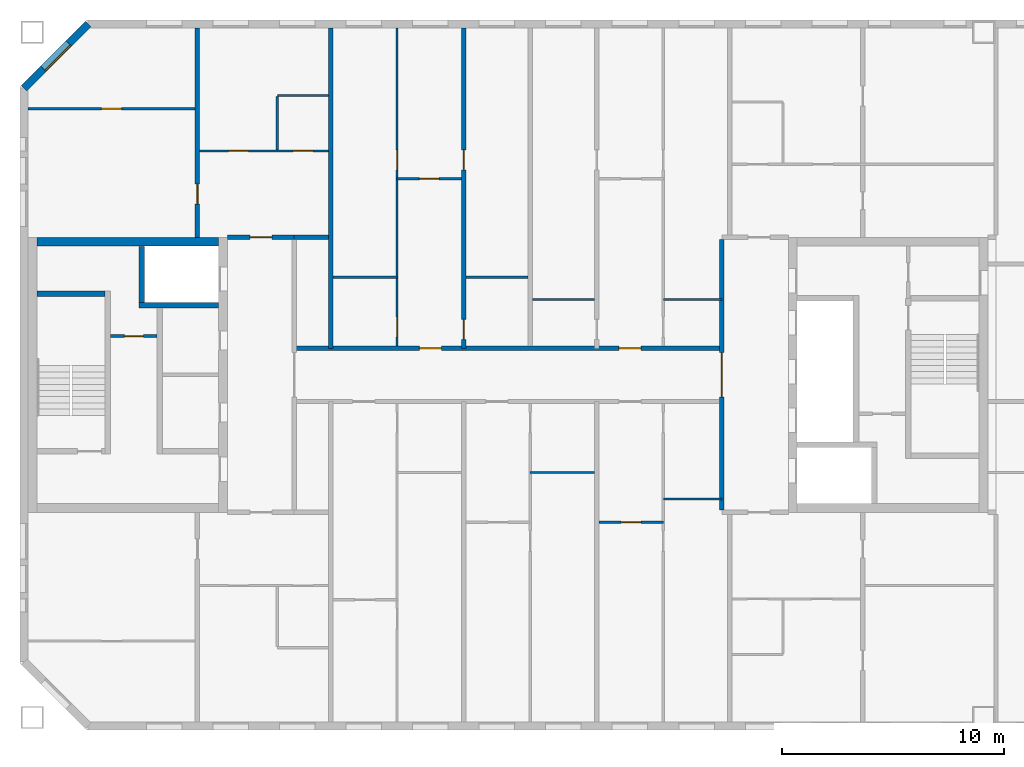
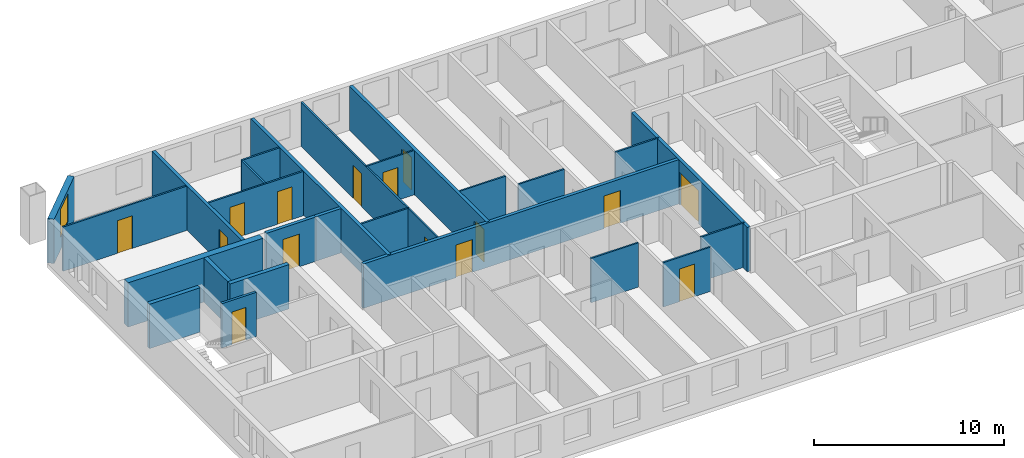
# One storey, part 6 of 19: 26 walls, 15 doors, 1 window, 16 openings.
"""IFC4 building model written with IfcOpenShell, lengths in metres."""

from ifc_helpers import new_model, si_unit, direction, frame, frame_2d, origin, place, context, subcontext, project, spatial, rectangle, extrude, material, layer, layer_set, type_object, element, fill, save


model = new_model("IFC4")

# Units and contexts
model_context = context("Model", 3, precision=1e-05, world=origin(), true_north=direction((0.0, 1.0)))
body_context = subcontext(model_context, "Body", "Model", "MODEL_VIEW")
ifc_project = project(units=[si_unit("LENGTHUNIT", "METRE"), si_unit("AREAUNIT", "SQUARE_METRE"), si_unit("VOLUMEUNIT", "CUBIC_METRE"), si_unit("PLANEANGLEUNIT", "RADIAN"), si_unit("MASSUNIT", "GRAM", prefix="KILO")], contexts=[model_context])

# Site, building, storey
site_placement = place(None, origin())
site = spatial("IfcSite", under=ifc_project, at=site_placement, CompositionType="ELEMENT")
building_placement = place(site_placement, origin())
building = spatial("IfcBuilding", under=site, at=building_placement, Name="Tuart Gate Housing", CompositionType="ELEMENT")
storey_placement = place(building_placement, frame((0.0, 0.0, 205.89990234375)))
storey = spatial("IfcBuildingStorey", under=building, at=storey_placement, Name="L58", CompositionType="ELEMENT", Elevation=205.89990234375)

# Wall, opening, window
ifc_material_1 = material(Name="Brick", Category="masonry")
ifc_layer_1 = layer(ifc_material_1, 0.360107421875)
ifc_layer_set_1 = layer_set([ifc_layer_1], Name="Brick pier and spandrel wall 360")
wall_type_1 = type_object("IfcWallType", Name="Brick pier and spandrel wall 360", PredefinedType="STANDARD", material=ifc_layer_set_1)
wall_1_placement = place(storey_placement, frame((35.07470703125, 85.820068359375, 0.0), z_axis=(0.0, 0.0, 1.0), x_axis=(-0.707106781187, -0.707106781187, 0.0)))
wall_1 = element("IfcWall", 1, at=wall_1_placement, inside=storey, type_object=wall_type_1, Name="External wall BLK-NW L58", PredefinedType="STANDARD", context=body_context, shape_type="SweptSolid", body=[
    extrude(rectangle(XDim=4.09375, YDim=0.360107421875, at=frame_2d((2.046875, 0.0))), origin(), (0.0, 0.0, 1.0), 2.85009765625),
])
opening_1_placement = place(wall_1_placement, frame((1.2470703125, 0.0, 0.800048828125)))
opening_1 = element("IfcOpeningElement", 2, at=opening_1_placement, cuts=wall_1, Name="Opening W1", PredefinedType="OPENING", context=body_context, shape_type="SweptSolid", body=[
    extrude(rectangle(XDim=1.60009765625, YDim=1.800048828125, at=frame_2d((0.800048828125, 0.89990234375))), frame((0.0, 0.18994140625, 0.0), z_axis=(0.0, -1.0, 0.0), x_axis=(1.0, 0.0, 0.0)), (0.0, 0.0, 1.0), 0.380126953125),
])
ifc_material_2 = material(Name="Aluminium frame with clear glass", Category="aluminium")
window_type = type_object("IfcWindowType", Name="Punched window 1600 x 1800", PartitioningType="SINGLE_PANEL", PredefinedType="WINDOW", material=ifc_material_2)
window_placement = place(opening_1_placement, origin())
window = element("IfcWindow", 3, at=window_placement, inside=storey, type_object=window_type, Name="Window W1", OverallHeight=1.800048828125, OverallWidth=1.60009765625, PartitioningType="SINGLE_PANEL", PredefinedType="WINDOW", context=body_context, shape_type="SweptSolid", body=[
    extrude(rectangle(XDim=1.60009765625, YDim=1.800048828125, at=frame_2d((0.800048828125, 0.89990234375))), frame((0.0, 0.150146484375, 0.0), z_axis=(0.0, -1.0, 0.0), x_axis=(1.0, 0.0, 0.0)), (0.0, 0.0, 1.0), 0.06005859375),
])
fill(opening_1, window)

# Wall, opening, door
ifc_material_3 = material(Name="Plasterboard partition")
ifc_layer_2 = layer(ifc_material_3, 0.14990234375)
ifc_layer_set_2 = layer_set([ifc_layer_2], Name="Core partition 150")
wall_type_2 = type_object("IfcWallType", Name="Core partition 150", PredefinedType="PARTITIONING", material=ifc_layer_set_2)
wall_2_placement = place(storey_placement, frame((38.18505859375, 71.75, 0.0), z_axis=(0.0, 0.0, 1.0), x_axis=(-1.0, 0.0, 0.0)))
wall_2 = element("IfcWall", 4, at=wall_2_placement, inside=storey, type_object=wall_type_2, Name="Core partition AK.3", PredefinedType="PARTITIONING", context=body_context, shape_type="SweptSolid", body=[
    extrude(rectangle(XDim=2.10009765625, YDim=0.14990234375, at=frame_2d((1.050048828125, 0.0))), origin(), (0.0, 0.0, 1.0), 2.85009765625),
])
opening_2_placement = place(wall_2_placement, frame((0.625, 0.0, 0.0)))
opening_2 = element("IfcOpeningElement", 5, at=opening_2_placement, cuts=wall_2, Name="Opening D1967", PredefinedType="OPENING", context=body_context, shape_type="SweptSolid", body=[
    extrude(rectangle(XDim=0.85009765625, YDim=2.10009765625, at=frame_2d((0.425048828125, 1.050048828125))), frame((0.0, 0.0849609375, 0.0), z_axis=(0.0, -1.0, 0.0), x_axis=(1.0, 0.0, 0.0)), (0.0, 0.0, 1.0), 0.169921875),
])
ifc_material_4 = material(Name="Steel fire door", Category="steel")
door_type_1 = type_object("IfcDoorType", Name="Riser door 850 x 2100 RH", OperationType="SINGLE_SWING_RIGHT", PredefinedType="DOOR", material=ifc_material_4)
door_1_placement = place(opening_2_placement, frame((0.85009765625, 0.0, 0.0), z_axis=(0.0, 0.0, 1.0), x_axis=(-1.0, 0.0, 0.0)))
door_1 = element("IfcDoor", 6, at=door_1_placement, inside=storey, type_object=door_type_1, Name="Service room door AK.E1", OperationType="SINGLE_SWING_RIGHT", OverallHeight=2.10009765625, OverallWidth=0.85009765625, PredefinedType="DOOR", context=body_context, shape_type="SweptSolid", body=[
    extrude(rectangle(XDim=0.85009765625, YDim=2.10009765625, at=frame_2d((0.425048828125, 1.050048828125))), frame((0.0, 0.025146484375, 0.0), z_axis=(0.0, -1.0, 0.0), x_axis=(1.0, 0.0, 0.0)), (0.0, 0.0, 1.0), 0.050048828125),
])
fill(opening_2, door_1)

# Walls
ifc_material_5 = material(Name="Concrete C40", Category="concrete")
ifc_layer_3 = layer(ifc_material_5, 0.25)
ifc_layer_set_3 = layer_set([ifc_layer_3], Name="Core wall 250 C40")
wall_type_3 = type_object("IfcWallType", Name="Core wall 250 C40", PredefinedType="SHEAR", material=ifc_layer_set_3)
wall_3_placement = place(storey_placement, frame((35.8349609375, 73.64990234375, 0.0), z_axis=(0.0, 0.0, 1.0), x_axis=(-1.0, 0.0, 0.0)))
element("IfcWall", 7, at=wall_3_placement, inside=storey, type_object=wall_type_3, Name="Core wall AK.1", PredefinedType="SHEAR", context=body_context, shape_type="SweptSolid", body=[
    extrude(rectangle(XDim=3.074951171875, YDim=0.25, at=frame_2d((1.53759765625, 0.0))), origin(), (0.0, 0.0, 1.0), 2.85009765625),
])
wall_4_placement = place(storey_placement, frame((40.9599609375, 73.14990234375, 0.0), z_axis=(0.0, 0.0, 1.0), x_axis=(-1.0, 0.0, 0.0)))
element("IfcWall", 8, at=wall_4_placement, inside=storey, type_object=wall_type_3, Name="Core wall AK.2", PredefinedType="SHEAR", context=body_context, shape_type="SweptSolid", body=[
    extrude(rectangle(XDim=3.594970703125, YDim=0.25, at=frame_2d((1.79736328125, 0.0))), origin(), (0.0, 0.0, 1.0), 2.85009765625),
])
wall_5_placement = place(storey_placement, frame((37.489990234375, 75.800048828125, 0.0), z_axis=(0.0, 0.0, 1.0), x_axis=(0.0, -1.0, 0.0)))
element("IfcWall", 9, at=wall_5_placement, inside=storey, type_object=wall_type_3, Name="Core wall AK.8", PredefinedType="SHEAR", context=body_context, shape_type="SweptSolid", body=[
    extrude(rectangle(XDim=2.525146484375, YDim=0.25, at=frame_2d((1.2626953125, 0.0))), origin(), (0.0, 0.0, 1.0), 2.85009765625),
])
ifc_material_6 = material(Name="Concrete C40", Category="concrete")
ifc_layer_4 = layer(ifc_material_6, 0.39990234375)
ifc_layer_set_4 = layer_set([ifc_layer_4], Name="Core wall 400 C40")
wall_type_4 = type_object("IfcWallType", Name="Core wall 400 C40", PredefinedType="SHEAR", material=ifc_layer_set_4)
wall_6_placement = place(storey_placement, frame((40.9599609375, 76.0, 0.0), z_axis=(0.0, 0.0, 1.0), x_axis=(-1.0, 0.0, 0.0)))
element("IfcWall", 10, at=wall_6_placement, inside=storey, type_object=wall_type_4, Name="Core wall AK south", PredefinedType="SHEAR", context=body_context, shape_type="SweptSolid", body=[
    extrude(rectangle(XDim=8.199951171875, YDim=0.39990234375, at=frame_2d((4.10009765625, 0.0))), origin(), (0.0, 0.0, 1.0), 2.85009765625),
])

# Wall, openings, doors
ifc_material_7 = material(Name="Concrete masonry 15 MPa", Category="masonry")
ifc_layer_5 = layer(ifc_material_7, 0.199951171875)
ifc_layer_set_5 = layer_set([ifc_layer_5], Name="Corridor wall masonry 200")
wall_type_5 = type_object("IfcWallType", Name="Corridor wall masonry 200", PredefinedType="PARTITIONING", material=ifc_layer_set_5)
wall_7_placement = place(storey_placement, frame((44.360107421875, 71.199951171875, 0.0), z_axis=(0.0, 0.0, 1.0), x_axis=(1.0, 0.0, 0.0)))
wall_7 = element("IfcWall", 11, at=wall_7_placement, inside=storey, type_object=wall_type_5, Name="Corridor wall masonry 200", PredefinedType="PARTITIONING", context=body_context, shape_type="SweptSolid", body=[
    extrude(rectangle(XDim=19.27978515625, YDim=0.199951171875, at=frame_2d((9.639892578125, 0.0))), origin(), (0.0, 0.0, 1.0), 2.85009765625),
])
opening_3_placement = place(wall_7_placement, frame((14.639892578125, 0.0, 0.0)))
opening_3 = element("IfcOpeningElement", 12, at=opening_3_placement, cuts=wall_7, Name="Opening D1968", PredefinedType="OPENING", context=body_context, shape_type="SweptSolid", body=[
    extrude(rectangle(XDim=1.0, YDim=2.10009765625, at=frame_2d((0.5, 1.050048828125))), frame((0.0, 0.10986328125, 0.0), z_axis=(0.0, -1.0, 0.0), x_axis=(1.0, 0.0, 0.0)), (0.0, 0.0, 1.0), 0.219970703125),
])
opening_4_placement = place(wall_7_placement, frame((5.639892578125, 0.0, 0.0)))
opening_4 = element("IfcOpeningElement", 13, at=opening_4_placement, cuts=wall_7, Name="Opening D1969", PredefinedType="OPENING", context=body_context, shape_type="SweptSolid", body=[
    extrude(rectangle(XDim=1.0, YDim=2.10009765625, at=frame_2d((0.5, 1.050048828125))), frame((0.0, 0.10986328125, 0.0), z_axis=(0.0, -1.0, 0.0), x_axis=(1.0, 0.0, 0.0)), (0.0, 0.0, 1.0), 0.219970703125),
])
ifc_material_8 = material(Name="Timber door leaf in steel frame", Category="steel")
door_type_2 = type_object("IfcDoorType", Name="Flat entrance door 1000", OperationType="SINGLE_SWING_LEFT", PredefinedType="DOOR", material=ifc_material_8)
door_2_placement = place(opening_3_placement, origin())
door_2 = element("IfcDoor", 14, at=door_2_placement, inside=storey, type_object=door_type_2, Name="Flat entrance door", OperationType="SINGLE_SWING_LEFT", OverallHeight=2.10009765625, OverallWidth=1.0, PredefinedType="DOOR", context=body_context, shape_type="SweptSolid", body=[
    extrude(rectangle(XDim=1.0, YDim=2.10009765625, at=frame_2d((0.5, 1.050048828125))), frame((0.0, 0.02490234375, 0.0), z_axis=(0.0, -1.0, 0.0), x_axis=(1.0, 0.0, 0.0)), (0.0, 0.0, 1.0), 0.050048828125),
])
fill(opening_3, door_2)
door_3_placement = place(opening_4_placement, origin())
door_3 = element("IfcDoor", 15, at=door_3_placement, inside=storey, type_object=door_type_2, Name="Flat entrance door", OperationType="SINGLE_SWING_LEFT", OverallHeight=2.10009765625, OverallWidth=1.0, PredefinedType="DOOR", context=body_context, shape_type="SweptSolid", body=[
    extrude(rectangle(XDim=1.0, YDim=2.10009765625, at=frame_2d((0.5, 1.050048828125))), frame((0.0, 0.02490234375, 0.0), z_axis=(0.0, -1.0, 0.0), x_axis=(1.0, 0.0, 0.0)), (0.0, 0.0, 1.0), 0.050048828125),
])
fill(opening_4, door_3)

# Wall, opening, door
ifc_material_9 = material(Name="Concrete masonry 15 MPa", Category="masonry")
ifc_layer_6 = layer(ifc_material_9, 0.199951171875)
ifc_layer_set_6 = layer_set([ifc_layer_6], Name="Enclosure wall masonry 200")
wall_type_6 = type_object("IfcWallType", Name="Enclosure wall masonry 200", PredefinedType="PARTITIONING", material=ifc_layer_set_6)
wall_8_placement = place(storey_placement, frame((41.360107421875, 76.199951171875, 0.0), z_axis=(0.0, 0.0, 1.0), x_axis=(1.0, 0.0, 0.0)))
wall_8 = element("IfcWall", 16, at=wall_8_placement, inside=storey, type_object=wall_type_6, Name="Enclosure wall masonry 200", PredefinedType="PARTITIONING", context=body_context, shape_type="SweptSolid", body=[
    extrude(rectangle(XDim=3.0, YDim=0.199951171875, at=frame_2d((1.5, 0.0))), origin(), (0.0, 0.0, 1.0), 2.85009765625),
])
opening_5_placement = place(wall_8_placement, frame((1.0, 0.0, 0.0)))
opening_5 = element("IfcOpeningElement", 17, at=opening_5_placement, cuts=wall_8, Name="Opening D1964", PredefinedType="OPENING", context=body_context, shape_type="SweptSolid", body=[
    extrude(rectangle(XDim=1.0, YDim=2.10009765625, at=frame_2d((0.5, 1.050048828125))), frame((0.0, 0.10986328125, 0.0), z_axis=(0.0, -1.0, 0.0), x_axis=(1.0, 0.0, 0.0)), (0.0, 0.0, 1.0), 0.219970703125),
])
door_4_placement = place(opening_5_placement, origin())
door_4 = element("IfcDoor", 18, at=door_4_placement, inside=storey, type_object=door_type_2, Name="Flat entrance door", OperationType="SINGLE_SWING_LEFT", OverallHeight=2.10009765625, OverallWidth=1.0, PredefinedType="DOOR", context=body_context, shape_type="SweptSolid", body=[
    extrude(rectangle(XDim=1.0, YDim=2.10009765625, at=frame_2d((0.5, 1.050048828125))), frame((0.0, 0.02490234375, 0.0), z_axis=(0.0, -1.0, 0.0), x_axis=(1.0, 0.0, 0.0)), (0.0, 0.0, 1.0), 0.050048828125),
])
fill(opening_5, door_4)

ifc_material_10 = material(Name="Plasterboard partition")
ifc_layer_7 = layer(ifc_material_10, 0.199951171875)
ifc_layer_set_7 = layer_set([ifc_layer_7], Name="Lobby wall 200")
wall_type_7 = type_object("IfcWallType", Name="Lobby wall 200", PredefinedType="PARTITIONING", material=ifc_layer_set_7)
wall_9_placement = place(storey_placement, frame((63.639892578125, 63.89990234375, 0.0), z_axis=(0.0, 0.0, 1.0), x_axis=(0.0, 1.0, 0.0)))
wall_9 = element("IfcWall", 19, at=wall_9_placement, inside=storey, type_object=wall_type_7, Name="Lift lobby wall AG", PredefinedType="PARTITIONING", context=body_context, shape_type="SweptSolid", body=[
    extrude(rectangle(XDim=12.2001953125, YDim=0.199951171875, at=frame_2d((6.10009765625, 0.0))), origin(), (0.0, 0.0, 1.0), 2.85009765625),
])
opening_6_placement = place(wall_9_placement, frame((5.10009765625, 0.0, 0.0)))
opening_6 = element("IfcOpeningElement", 20, at=opening_6_placement, cuts=wall_9, Name="Opening D1974", PredefinedType="OPENING", context=body_context, shape_type="SweptSolid", body=[
    extrude(rectangle(XDim=2.0, YDim=2.10009765625, at=frame_2d((1.0, 1.050048828125))), frame((0.0, 0.10986328125, 0.0), z_axis=(0.0, -1.0, 0.0), x_axis=(1.0, 0.0, 0.0)), (0.0, 0.0, 1.0), 0.219970703125),
])
ifc_material_11 = material(Name="Steel fire door", Category="steel")
door_type_3 = type_object("IfcDoorType", Name="Smoke door 2000 x 2100", OperationType="DOUBLE_DOOR_SINGLE_SWING", PredefinedType="DOOR", material=ifc_material_11)
door_5_placement = place(opening_6_placement, frame((2.0, 0.0, 0.0), z_axis=(0.0, 0.0, 1.0), x_axis=(-1.0, 0.0, 0.0)))
door_5 = element("IfcDoor", 21, at=door_5_placement, inside=storey, type_object=door_type_3, Name="Lift lobby smoke door AG", OperationType="DOUBLE_DOOR_SINGLE_SWING", OverallHeight=2.10009765625, OverallWidth=2.0, PredefinedType="DOOR", context=body_context, shape_type="SweptSolid", body=[
    extrude(rectangle(XDim=2.0, YDim=2.10009765625, at=frame_2d((1.0, 1.050048828125))), frame((0.0, 0.025146484375, 0.0), z_axis=(0.0, -1.0, 0.0), x_axis=(1.0, 0.0, 0.0)), (0.0, 0.0, 1.0), 0.050048828125),
])
fill(opening_6, door_5)

ifc_material_12 = material(Name="Gypsum board on steel studs", Category="steel")
ifc_layer_8 = layer(ifc_material_12, 0.10009765625)
ifc_layer_set_8 = layer_set([ifc_layer_8], Name="Partition 100")
wall_type_8 = type_object("IfcWallType", Name="Partition 100", PredefinedType="PARTITIONING", material=ifc_layer_set_8)
wall_10_placement = place(storey_placement, frame((58.10009765625, 63.360107421875, 0.0), z_axis=(0.0, 0.0, 1.0), x_axis=(1.0, 0.0, 0.0)))
wall_10 = element("IfcWall", 22, at=wall_10_placement, inside=storey, type_object=wall_type_8, Name="Partition 100", PredefinedType="PARTITIONING", context=body_context, shape_type="SweptSolid", body=[
    extrude(rectangle(XDim=2.89990234375, YDim=0.10009765625, at=frame_2d((1.449951171875, 0.0))), origin(), (0.0, 0.0, 1.0), 2.85009765625),
])
opening_7_placement = place(wall_10_placement, frame((1.0, 0.0, 0.0)))
opening_7 = element("IfcOpeningElement", 23, at=opening_7_placement, cuts=wall_10, Name="Opening D1986", PredefinedType="OPENING", context=body_context, shape_type="SweptSolid", body=[
    extrude(rectangle(XDim=0.89990234375, YDim=2.10009765625, at=frame_2d((0.449951171875, 1.050048828125))), frame((0.0, 0.06005859375, 0.0), z_axis=(0.0, -1.0, 0.0), x_axis=(1.0, 0.0, 0.0)), (0.0, 0.0, 1.0), 0.1201171875),
])
ifc_material_13 = material(Name="Timber door leaf in steel frame", Category="steel")
door_type_4 = type_object("IfcDoorType", Name="Internal door 900 RH", OperationType="SINGLE_SWING_RIGHT", PredefinedType="DOOR", material=ifc_material_13)
door_6_placement = place(opening_7_placement, origin())
door_6 = element("IfcDoor", 24, at=door_6_placement, inside=storey, type_object=door_type_4, Name="Internal door", OperationType="SINGLE_SWING_RIGHT", OverallHeight=2.10009765625, OverallWidth=0.89990234375, PredefinedType="DOOR", context=body_context, shape_type="SweptSolid", body=[
    extrude(rectangle(XDim=0.89990234375, YDim=2.10009765625, at=frame_2d((0.449951171875, 1.050048828125))), frame((0.0, 0.02490234375, 0.0), z_axis=(0.0, -1.0, 0.0), x_axis=(1.0, 0.0, 0.0)), (0.0, 0.0, 1.0), 0.050048828125),
])
fill(opening_7, door_6)

# Walls
wall_11_placement = place(storey_placement, frame((61.0, 64.39990234375, 0.0), z_axis=(0.0, 0.0, 1.0), x_axis=(1.0, 0.0, 0.0)))
element("IfcWall", 25, at=wall_11_placement, inside=storey, type_object=wall_type_8, Name="Partition 100", PredefinedType="PARTITIONING", context=body_context, shape_type="SweptSolid", body=[
    extrude(rectangle(XDim=2.639892578125, YDim=0.10009765625, at=frame_2d((1.31982421875, 0.0))), origin(), (0.0, 0.0, 1.0), 2.85009765625),
])
wall_12_placement = place(storey_placement, frame((55.0, 65.60009765625, 0.0), z_axis=(0.0, 0.0, 1.0), x_axis=(1.0, 0.0, 0.0)))
element("IfcWall", 26, at=wall_12_placement, inside=storey, type_object=wall_type_8, Name="Partition 100", PredefinedType="PARTITIONING", context=body_context, shape_type="SweptSolid", body=[
    extrude(rectangle(XDim=2.89990234375, YDim=0.10009765625, at=frame_2d((1.449951171875, 0.0))), origin(), (0.0, 0.0, 1.0), 2.85009765625),
])
wall_13_placement = place(storey_placement, frame((55.10009765625, 73.39990234375, 0.0), z_axis=(0.0, 0.0, 1.0), x_axis=(1.0, 0.0, 0.0)))
element("IfcWall", 27, at=wall_13_placement, inside=storey, type_object=wall_type_8, Name="Partition 100", PredefinedType="PARTITIONING", context=body_context, shape_type="SweptSolid", body=[
    extrude(rectangle(XDim=2.7998046875, YDim=0.10009765625, at=frame_2d((1.39990234375, 0.0))), origin(), (0.0, 0.0, 1.0), 2.85009765625),
])
wall_14_placement = place(storey_placement, frame((61.0, 73.39990234375, 0.0), z_axis=(0.0, 0.0, 1.0), x_axis=(1.0, 0.0, 0.0)))
element("IfcWall", 28, at=wall_14_placement, inside=storey, type_object=wall_type_8, Name="Partition 100", PredefinedType="PARTITIONING", context=body_context, shape_type="SweptSolid", body=[
    extrude(rectangle(XDim=2.639892578125, YDim=0.10009765625, at=frame_2d((1.31982421875, 0.0))), origin(), (0.0, 0.0, 1.0), 2.85009765625),
])
wall_15_placement = place(storey_placement, frame((46.10009765625, 74.39990234375, 0.0), z_axis=(0.0, 0.0, 1.0), x_axis=(1.0, 0.0, 0.0)))
element("IfcWall", 29, at=wall_15_placement, inside=storey, type_object=wall_type_8, Name="Partition 100", PredefinedType="PARTITIONING", context=body_context, shape_type="SweptSolid", body=[
    extrude(rectangle(XDim=2.89990234375, YDim=0.10009765625, at=frame_2d((1.449951171875, 0.0))), origin(), (0.0, 0.0, 1.0), 2.85009765625),
])
wall_16_placement = place(storey_placement, frame((52.10009765625, 74.39990234375, 0.0), z_axis=(0.0, 0.0, 1.0), x_axis=(1.0, 0.0, 0.0)))
element("IfcWall", 30, at=wall_16_placement, inside=storey, type_object=wall_type_8, Name="Partition 100", PredefinedType="PARTITIONING", context=body_context, shape_type="SweptSolid", body=[
    extrude(rectangle(XDim=2.7998046875, YDim=0.10009765625, at=frame_2d((1.39990234375, 0.0))), origin(), (0.0, 0.0, 1.0), 2.85009765625),
])

# Wall, opening, door
wall_17_placement = place(storey_placement, frame((49.0, 78.840087890625, 0.0), z_axis=(0.0, 0.0, 1.0), x_axis=(1.0, 0.0, 0.0)))
wall_17 = element("IfcWall", 31, at=wall_17_placement, inside=storey, type_object=wall_type_8, Name="Partition 100", PredefinedType="PARTITIONING", context=body_context, shape_type="SweptSolid", body=[
    extrude(rectangle(XDim=2.89990234375, YDim=0.10009765625, at=frame_2d((1.449951171875, 0.0))), origin(), (0.0, 0.0, 1.0), 2.85009765625),
])
opening_8_placement = place(wall_17_placement, frame((1.0, 0.0, 0.0)))
opening_8 = element("IfcOpeningElement", 32, at=opening_8_placement, cuts=wall_17, Name="Opening D1954", PredefinedType="OPENING", context=body_context, shape_type="SweptSolid", body=[
    extrude(rectangle(XDim=0.89990234375, YDim=2.10009765625, at=frame_2d((0.449951171875, 1.050048828125))), frame((0.0, 0.06005859375, 0.0), z_axis=(0.0, -1.0, 0.0), x_axis=(1.0, 0.0, 0.0)), (0.0, 0.0, 1.0), 0.1201171875),
])
door_7_placement = place(opening_8_placement, frame((0.89990234375, 0.0, 0.0), z_axis=(0.0, 0.0, 1.0), x_axis=(-1.0, 0.0, 0.0)))
door_7 = element("IfcDoor", 33, at=door_7_placement, inside=storey, type_object=door_type_4, Name="Internal door", OperationType="SINGLE_SWING_RIGHT", OverallHeight=2.10009765625, OverallWidth=0.89990234375, PredefinedType="DOOR", context=body_context, shape_type="SweptSolid", body=[
    extrude(rectangle(XDim=0.89990234375, YDim=2.10009765625, at=frame_2d((0.449951171875, 1.050048828125))), frame((0.0, 0.025146484375, 0.0), z_axis=(0.0, -1.0, 0.0), x_axis=(1.0, 0.0, 0.0)), (0.0, 0.0, 1.0), 0.050048828125),
])
fill(opening_8, door_7)

# Wall, openings, doors
wall_18_placement = place(storey_placement, frame((40.10009765625, 80.10009765625, 0.0), z_axis=(0.0, 0.0, 1.0), x_axis=(1.0, 0.0, 0.0)))
wall_18 = element("IfcWall", 34, at=wall_18_placement, inside=storey, type_object=wall_type_8, Name="Partition 100", PredefinedType="PARTITIONING", context=body_context, shape_type="SweptSolid", body=[
    extrude(rectangle(XDim=5.7998046875, YDim=0.10009765625, at=frame_2d((2.89990234375, 0.0))), origin(), (0.0, 0.0, 1.0), 2.85009765625),
])
opening_9_placement = place(wall_18_placement, frame((1.300048828125, 0.0, 0.0)))
opening_9 = element("IfcOpeningElement", 35, at=opening_9_placement, cuts=wall_18, Name="Opening D1951", PredefinedType="OPENING", context=body_context, shape_type="SweptSolid", body=[
    extrude(rectangle(XDim=0.89990234375, YDim=2.10009765625, at=frame_2d((0.449951171875, 1.050048828125))), frame((0.0, 0.06005859375, 0.0), z_axis=(0.0, -1.0, 0.0), x_axis=(1.0, 0.0, 0.0)), (0.0, 0.0, 1.0), 0.1201171875),
])
opening_10_placement = place(wall_18_placement, frame((4.199951171875, 0.0, 0.0)))
opening_10 = element("IfcOpeningElement", 36, at=opening_10_placement, cuts=wall_18, Name="Opening D1950", PredefinedType="OPENING", context=body_context, shape_type="SweptSolid", body=[
    extrude(rectangle(XDim=0.89990234375, YDim=2.10009765625, at=frame_2d((0.449951171875, 1.050048828125))), frame((0.0, 0.06005859375, 0.0), z_axis=(0.0, -1.0, 0.0), x_axis=(1.0, 0.0, 0.0)), (0.0, 0.0, 1.0), 0.1201171875),
])
ifc_material_14 = material(Name="Timber door leaf in steel frame", Category="steel")
door_type_5 = type_object("IfcDoorType", Name="Bathroom door 900", OperationType="SINGLE_SWING_LEFT", PredefinedType="DOOR", material=ifc_material_14)
door_8_placement = place(opening_10_placement, origin())
door_8 = element("IfcDoor", 37, at=door_8_placement, inside=storey, type_object=door_type_5, Name="Bathroom door", OperationType="SINGLE_SWING_LEFT", OverallHeight=2.10009765625, OverallWidth=0.89990234375, PredefinedType="DOOR", context=body_context, shape_type="SweptSolid", body=[
    extrude(rectangle(XDim=0.89990234375, YDim=2.10009765625, at=frame_2d((0.449951171875, 1.050048828125))), frame((0.0, 0.02490234375, 0.0), z_axis=(0.0, -1.0, 0.0), x_axis=(1.0, 0.0, 0.0)), (0.0, 0.0, 1.0), 0.050048828125),
])
fill(opening_10, door_8)
door_9_placement = place(opening_9_placement, origin())
door_9 = element("IfcDoor", 38, at=door_9_placement, inside=storey, type_object=door_type_4, Name="Internal door", OperationType="SINGLE_SWING_RIGHT", OverallHeight=2.10009765625, OverallWidth=0.89990234375, PredefinedType="DOOR", context=body_context, shape_type="SweptSolid", body=[
    extrude(rectangle(XDim=0.89990234375, YDim=2.10009765625, at=frame_2d((0.449951171875, 1.050048828125))), frame((0.0, 0.02490234375, 0.0), z_axis=(0.0, -1.0, 0.0), x_axis=(1.0, 0.0, 0.0)), (0.0, 0.0, 1.0), 0.050048828125),
])
fill(opening_9, door_9)

# Wall, opening, door
wall_19_placement = place(storey_placement, frame((32.360107421875, 82.0, 0.0), z_axis=(0.0, 0.0, 1.0), x_axis=(1.0, 0.0, 0.0)))
wall_19 = element("IfcWall", 39, at=wall_19_placement, inside=storey, type_object=wall_type_8, Name="Partition 100", PredefinedType="PARTITIONING", context=body_context, shape_type="SweptSolid", body=[
    extrude(rectangle(XDim=7.539794921875, YDim=0.10009765625, at=frame_2d((3.77001953125, 0.0))), origin(), (0.0, 0.0, 1.0), 2.85009765625),
])
opening_11_placement = place(wall_19_placement, frame((3.320068359375, 0.0, 0.0)))
opening_11 = element("IfcOpeningElement", 40, at=opening_11_placement, cuts=wall_19, Name="Opening D1946", PredefinedType="OPENING", context=body_context, shape_type="SweptSolid", body=[
    extrude(rectangle(XDim=0.89990234375, YDim=2.10009765625, at=frame_2d((0.449951171875, 1.050048828125))), frame((0.0, 0.06005859375, 0.0), z_axis=(0.0, -1.0, 0.0), x_axis=(1.0, 0.0, 0.0)), (0.0, 0.0, 1.0), 0.1201171875),
])
ifc_material_15 = material(Name="Timber door leaf in steel frame", Category="steel")
door_type_6 = type_object("IfcDoorType", Name="Internal door 900", OperationType="SINGLE_SWING_LEFT", PredefinedType="DOOR", material=ifc_material_15)
door_10_placement = place(opening_11_placement, origin())
door_10 = element("IfcDoor", 41, at=door_10_placement, inside=storey, type_object=door_type_6, Name="Internal door", OperationType="SINGLE_SWING_LEFT", OverallHeight=2.10009765625, OverallWidth=0.89990234375, PredefinedType="DOOR", context=body_context, shape_type="SweptSolid", body=[
    extrude(rectangle(XDim=0.89990234375, YDim=2.10009765625, at=frame_2d((0.449951171875, 1.050048828125))), frame((0.0, 0.02490234375, 0.0), z_axis=(0.0, -1.0, 0.0), x_axis=(1.0, 0.0, 0.0)), (0.0, 0.0, 1.0), 0.050048828125),
])
fill(opening_11, door_10)

# Walls
wall_20_placement = place(storey_placement, frame((43.60009765625, 82.60009765625, 0.0), z_axis=(0.0, 0.0, 1.0), x_axis=(1.0, 0.0, 0.0)))
element("IfcWall", 42, at=wall_20_placement, inside=storey, type_object=wall_type_8, Name="Partition 100", PredefinedType="PARTITIONING", context=body_context, shape_type="SweptSolid", body=[
    extrude(rectangle(XDim=2.2998046875, YDim=0.10009765625, at=frame_2d((1.14990234375, 0.0))), origin(), (0.0, 0.0, 1.0), 2.85009765625),
])
wall_21_placement = place(storey_placement, frame((43.60009765625, 80.14990234375, 0.0), z_axis=(0.0, 0.0, 1.0), x_axis=(0.0, 1.0, 0.0)))
element("IfcWall", 43, at=wall_21_placement, inside=storey, type_object=wall_type_8, Name="Partition 100", PredefinedType="PARTITIONING", context=body_context, shape_type="SweptSolid", body=[
    extrude(rectangle(XDim=2.400146484375, YDim=0.10009765625, at=frame_2d((1.2001953125, 0.0))), origin(), (0.0, 0.0, 1.0), 2.85009765625),
])

# Wall, openings, doors
wall_22_placement = place(storey_placement, frame((49.0, 71.300048828125, 0.0), z_axis=(0.0, 0.0, 1.0), x_axis=(0.0, 1.0, 0.0)))
wall_22 = element("IfcWall", 44, at=wall_22_placement, inside=storey, type_object=wall_type_8, Name="Partition 100", PredefinedType="PARTITIONING", context=body_context, shape_type="SweptSolid", body=[
    extrude(rectangle(XDim=14.33984375, YDim=0.10009765625, at=frame_2d((7.169921875, 0.0))), origin(), (0.0, 0.0, 1.0), 2.85009765625),
])
opening_12_placement = place(wall_22_placement, frame((7.93994140625, 0.0, 0.0)))
opening_12 = element("IfcOpeningElement", 45, at=opening_12_placement, cuts=wall_22, Name="Opening D1957", PredefinedType="OPENING", context=body_context, shape_type="SweptSolid", body=[
    extrude(rectangle(XDim=0.89990234375, YDim=2.10009765625, at=frame_2d((0.449951171875, 1.050048828125))), frame((0.0, 0.06005859375, 0.0), z_axis=(0.0, -1.0, 0.0), x_axis=(1.0, 0.0, 0.0)), (0.0, 0.0, 1.0), 0.1201171875),
])
opening_13_placement = place(wall_22_placement, frame((0.39990234375, 0.0, 0.0)))
opening_13 = element("IfcOpeningElement", 46, at=opening_13_placement, cuts=wall_22, Name="Opening D1956", PredefinedType="OPENING", context=body_context, shape_type="SweptSolid", body=[
    extrude(rectangle(XDim=0.89990234375, YDim=2.10009765625, at=frame_2d((0.449951171875, 1.050048828125))), frame((0.0, 0.06005859375, 0.0), z_axis=(0.0, -1.0, 0.0), x_axis=(1.0, 0.0, 0.0)), (0.0, 0.0, 1.0), 0.1201171875),
])
door_11_placement = place(opening_13_placement, origin())
door_11 = element("IfcDoor", 47, at=door_11_placement, inside=storey, type_object=door_type_5, Name="Bathroom door", OperationType="SINGLE_SWING_LEFT", OverallHeight=2.10009765625, OverallWidth=0.89990234375, PredefinedType="DOOR", context=body_context, shape_type="SweptSolid", body=[
    extrude(rectangle(XDim=0.89990234375, YDim=2.10009765625, at=frame_2d((0.449951171875, 1.050048828125))), frame((0.0, 0.02490234375, 0.0), z_axis=(0.0, -1.0, 0.0), x_axis=(1.0, 0.0, 0.0)), (0.0, 0.0, 1.0), 0.050048828125),
])
fill(opening_13, door_11)
door_12_placement = place(opening_12_placement, origin())
door_12 = element("IfcDoor", 48, at=door_12_placement, inside=storey, type_object=door_type_6, Name="Internal door", OperationType="SINGLE_SWING_LEFT", OverallHeight=2.10009765625, OverallWidth=0.89990234375, PredefinedType="DOOR", context=body_context, shape_type="SweptSolid", body=[
    extrude(rectangle(XDim=0.89990234375, YDim=2.10009765625, at=frame_2d((0.449951171875, 1.050048828125))), frame((0.0, 0.02490234375, 0.0), z_axis=(0.0, -1.0, 0.0), x_axis=(1.0, 0.0, 0.0)), (0.0, 0.0, 1.0), 0.050048828125),
])
fill(opening_12, door_12)

# Wall, opening, door
ifc_material_16 = material(Name="Concrete C40", Category="concrete")
ifc_layer_9 = layer(ifc_material_16, 0.199951171875)
ifc_layer_set_9 = layer_set([ifc_layer_9], Name="Party wall concrete C40 200")
wall_type_9 = type_object("IfcWallType", Name="Party wall concrete C40 200", PredefinedType="SOLIDWALL", material=ifc_layer_set_9)
wall_23_placement = place(storey_placement, frame((40.0, 76.199951171875, 0.0), z_axis=(0.0, 0.0, 1.0), x_axis=(0.0, 1.0, 0.0)))
wall_23 = element("IfcWall", 49, at=wall_23_placement, inside=storey, type_object=wall_type_9, Name="Party wall concrete C40 200", PredefinedType="SOLIDWALL", context=body_context, shape_type="SweptSolid", body=[
    extrude(rectangle(XDim=9.43994140625, YDim=0.199951171875, at=frame_2d((4.719970703125, 0.0))), origin(), (0.0, 0.0, 1.0), 2.85009765625),
])
opening_14_placement = place(wall_23_placement, frame((1.5, 0.0, 0.0)))
opening_14 = element("IfcOpeningElement", 50, at=opening_14_placement, cuts=wall_23, Name="Opening D1947", PredefinedType="OPENING", context=body_context, shape_type="SweptSolid", body=[
    extrude(rectangle(XDim=0.89990234375, YDim=2.10009765625, at=frame_2d((0.449951171875, 1.050048828125))), frame((0.0, 0.10986328125, 0.0), z_axis=(0.0, -1.0, 0.0), x_axis=(1.0, 0.0, 0.0)), (0.0, 0.0, 1.0), 0.219970703125),
])
door_13_placement = place(opening_14_placement, frame((0.89990234375, 0.0, 0.0), z_axis=(0.0, 0.0, 1.0), x_axis=(-1.0, 0.0, 0.0)))
door_13 = element("IfcDoor", 51, at=door_13_placement, inside=storey, type_object=door_type_4, Name="Internal door", OperationType="SINGLE_SWING_RIGHT", OverallHeight=2.10009765625, OverallWidth=0.89990234375, PredefinedType="DOOR", context=body_context, shape_type="SweptSolid", body=[
    extrude(rectangle(XDim=0.89990234375, YDim=2.10009765625, at=frame_2d((0.449951171875, 1.050048828125))), frame((0.0, 0.025146484375, 0.0), z_axis=(0.0, -1.0, 0.0), x_axis=(1.0, 0.0, 0.0)), (0.0, 0.0, 1.0), 0.050048828125),
])
fill(opening_14, door_13)

# Wall
wall_24_placement = place(storey_placement, frame((46.0, 71.199951171875, 0.0), z_axis=(0.0, 0.0, 1.0), x_axis=(0.0, 1.0, 0.0)))
element("IfcWall", 52, at=wall_24_placement, inside=storey, type_object=wall_type_9, Name="Party wall concrete C40 200", PredefinedType="SOLIDWALL", context=body_context, shape_type="SweptSolid", body=[
    extrude(rectangle(XDim=14.43994140625, YDim=0.199951171875, at=frame_2d((7.219970703125, 0.0))), origin(), (0.0, 0.0, 1.0), 2.85009765625),
])

# Wall, openings, doors
wall_25_placement = place(storey_placement, frame((52.0, 71.199951171875, 0.0), z_axis=(0.0, 0.0, 1.0), x_axis=(0.0, 1.0, 0.0)))
wall_25 = element("IfcWall", 53, at=wall_25_placement, inside=storey, type_object=wall_type_9, Name="Party wall concrete C40 200", PredefinedType="SOLIDWALL", context=body_context, shape_type="SweptSolid", body=[
    extrude(rectangle(XDim=14.43994140625, YDim=0.199951171875, at=frame_2d((7.219970703125, 0.0))), origin(), (0.0, 0.0, 1.0), 2.85009765625),
])
opening_15_placement = place(wall_25_placement, frame((8.0400390625, 0.0, 0.0)))
opening_15 = element("IfcOpeningElement", 54, at=opening_15_placement, cuts=wall_25, Name="Opening D1961", PredefinedType="OPENING", context=body_context, shape_type="SweptSolid", body=[
    extrude(rectangle(XDim=0.89990234375, YDim=2.10009765625, at=frame_2d((0.449951171875, 1.050048828125))), frame((0.0, 0.10986328125, 0.0), z_axis=(0.0, -1.0, 0.0), x_axis=(1.0, 0.0, 0.0)), (0.0, 0.0, 1.0), 0.219970703125),
])
opening_16_placement = place(wall_25_placement, frame((0.39990234375, 0.0, 0.0)))
opening_16 = element("IfcOpeningElement", 55, at=opening_16_placement, cuts=wall_25, Name="Opening D1960", PredefinedType="OPENING", context=body_context, shape_type="SweptSolid", body=[
    extrude(rectangle(XDim=0.89990234375, YDim=2.10009765625, at=frame_2d((0.449951171875, 1.050048828125))), frame((0.0, 0.10986328125, 0.0), z_axis=(0.0, -1.0, 0.0), x_axis=(1.0, 0.0, 0.0)), (0.0, 0.0, 1.0), 0.219970703125),
])
ifc_material_17 = material(Name="Timber door leaf in steel frame", Category="steel")
door_type_7 = type_object("IfcDoorType", Name="Bathroom door 900 RH", OperationType="SINGLE_SWING_RIGHT", PredefinedType="DOOR", material=ifc_material_17)
door_14_placement = place(opening_16_placement, frame((0.89990234375, 0.0, 0.0), z_axis=(0.0, 0.0, 1.0), x_axis=(-1.0, 0.0, 0.0)))
door_14 = element("IfcDoor", 56, at=door_14_placement, inside=storey, type_object=door_type_7, Name="Bathroom door", OperationType="SINGLE_SWING_RIGHT", OverallHeight=2.10009765625, OverallWidth=0.89990234375, PredefinedType="DOOR", context=body_context, shape_type="SweptSolid", body=[
    extrude(rectangle(XDim=0.89990234375, YDim=2.10009765625, at=frame_2d((0.449951171875, 1.050048828125))), frame((0.0, 0.025146484375, 0.0), z_axis=(0.0, -1.0, 0.0), x_axis=(1.0, 0.0, 0.0)), (0.0, 0.0, 1.0), 0.050048828125),
])
fill(opening_16, door_14)
door_15_placement = place(opening_15_placement, frame((0.89990234375, 0.0, 0.0), z_axis=(0.0, 0.0, 1.0), x_axis=(-1.0, 0.0, 0.0)))
door_15 = element("IfcDoor", 57, at=door_15_placement, inside=storey, type_object=door_type_4, Name="Internal door", OperationType="SINGLE_SWING_RIGHT", OverallHeight=2.10009765625, OverallWidth=0.89990234375, PredefinedType="DOOR", context=body_context, shape_type="SweptSolid", body=[
    extrude(rectangle(XDim=0.89990234375, YDim=2.10009765625, at=frame_2d((0.449951171875, 1.050048828125))), frame((0.0, 0.025146484375, 0.0), z_axis=(0.0, -1.0, 0.0), x_axis=(1.0, 0.0, 0.0)), (0.0, 0.0, 1.0), 0.050048828125),
])
fill(opening_15, door_15)

# Wall
ifc_material_18 = material(Name="Concrete masonry 15 MPa", Category="masonry")
ifc_layer_10 = layer(ifc_material_18, 0.199951171875)
ifc_layer_set_10 = layer_set([ifc_layer_10], Name="Party wall masonry 200")
wall_type_10 = type_object("IfcWallType", Name="Party wall masonry 200", PredefinedType="PARTITIONING", material=ifc_layer_set_10)
wall_26_placement = place(storey_placement, frame((44.360107421875, 76.199951171875, 0.0), z_axis=(0.0, 0.0, 1.0), x_axis=(1.0, 0.0, 0.0)))
element("IfcWall", 58, at=wall_26_placement, inside=storey, type_object=wall_type_10, Name="Party wall masonry 200", PredefinedType="PARTITIONING", context=body_context, shape_type="SweptSolid", body=[
    extrude(rectangle(XDim=1.539794921875, YDim=0.199951171875, at=frame_2d((0.77001953125, 0.0))), origin(), (0.0, 0.0, 1.0), 2.85009765625),
])

save(model, "model.ifc")
